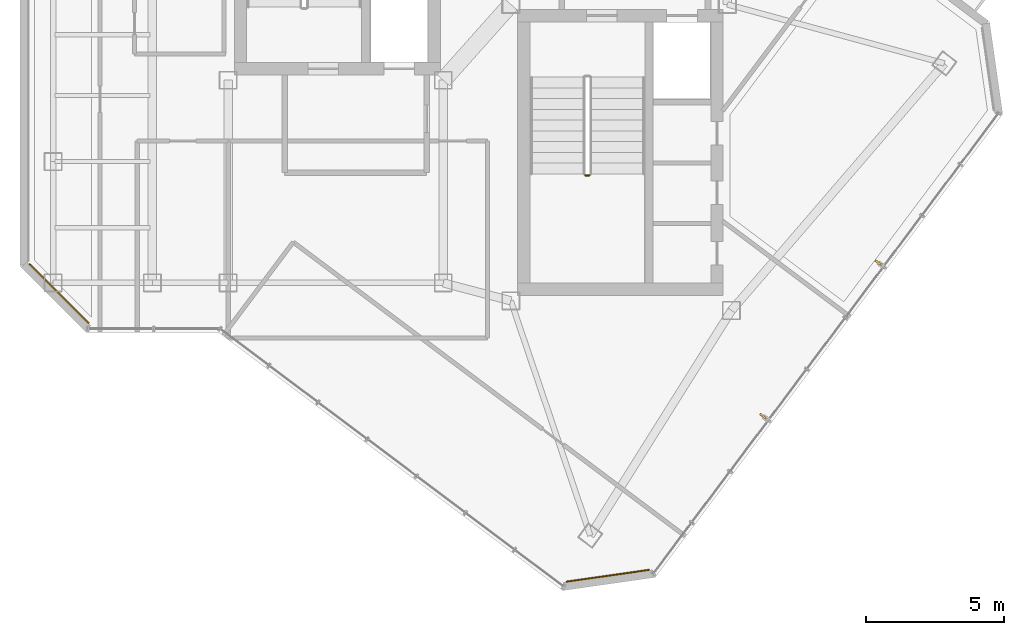
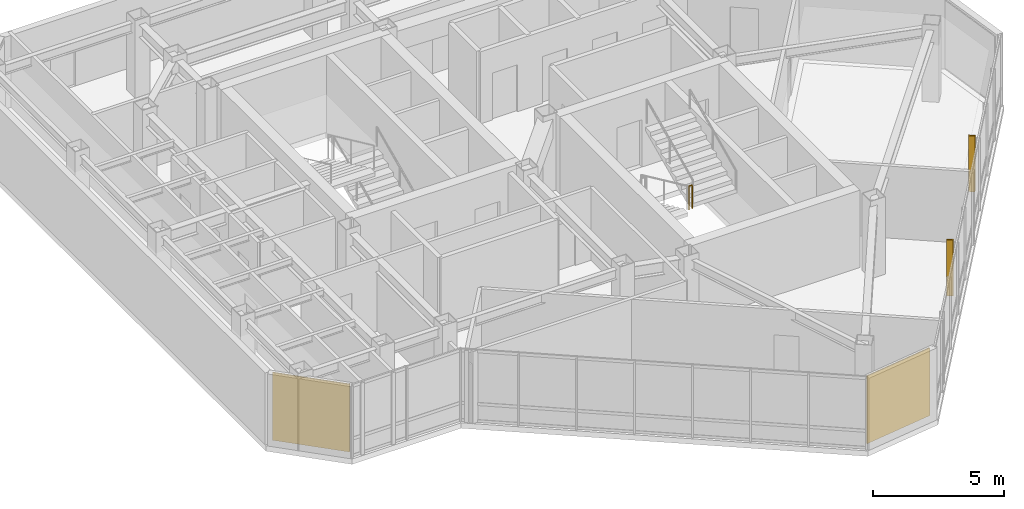
# One storey, part 16 of 18: 2 coverings, 2 shading devices, 1 railing.
"""IFC4 building model written with IfcOpenShell, lengths in metres."""

import ifcopenshell
import ifcopenshell.guid

model = None  # the IFC model being written
_history = None  # IfcOwnerHistory: only IFC2X3 demands one
_inside = {}  # id of a spatial element -> (the spatial element, [elements in it])
_under = {}  # id of a project, library or spatial element -> (it, [spatial elements below it])
_declared = {}  # id of a project -> (the project, [libraries it declares])
_typed = {}  # id of a type object -> (the type object, [elements of that type])
_made_of = {}  # id of a material, layer set ... -> (it, [elements and type objects made of it])


def new_model(schema):
    """Start an empty IFC model of exactly this schema.

    Asked for "IFC4X3", IfcOpenShell would pick the latest addendum, in which some entities
    have other attributes; the version numbers below select the first issue.
    IFC2X3 requires an IfcOwnerHistory on every rooted entity: one is made here for all.
    """
    global model, _history
    if schema == "IFC4X3":
        model = ifcopenshell.file(schema_version=(4, 3, 0, 0))
    else:
        model = ifcopenshell.file(schema=schema)
    _inside.clear()
    _under.clear()
    _declared.clear()
    _typed.clear()
    _made_of.clear()
    _history = None
    if model.schema == "IFC2X3":
        org = make("IfcOrganization", Name="unknown")
        user = make(
            "IfcPersonAndOrganization",
            ThePerson=make("IfcPerson", FamilyName="unknown"),
            TheOrganization=org,
        )
        app = make(
            "IfcApplication",
            ApplicationDeveloper=org,
            Version="unknown",
            ApplicationFullName="unknown",
            ApplicationIdentifier="unknown",
        )
        _history = make(
            "IfcOwnerHistory",
            OwningUser=user,
            OwningApplication=app,
            ChangeAction="ADDED",
            CreationDate=0,
        )
    return model


def make(cls, **values):
    """One entity of the class cls with the attributes given. An attribute that is None is left unset."""
    return model.create_entity(
        cls, **{name: value for name, value in values.items() if value is not None}
    )


def rooted(cls, **values):
    """An entity with a GlobalId (a new one), such as an element, a storey or a relation."""
    return make(cls, GlobalId=ifcopenshell.guid.new(), OwnerHistory=_history, **values)


def si_unit(unit_type, name, prefix=None):
    """IfcSIUnit, for example si_unit("LENGTHUNIT", "METRE", prefix="MILLI")."""
    return make("IfcSIUnit", UnitType=unit_type, Prefix=prefix, Name=name)


def assignment(units):
    """IfcUnitAssignment: the units of a project."""
    return None if units is None else make("IfcUnitAssignment", Units=units)


def point(xyz):
    """IfcCartesianPoint."""
    return None if xyz is None else make("IfcCartesianPoint", Coordinates=xyz)


def direction(xyz):
    """IfcDirection."""
    return None if xyz is None else make("IfcDirection", DirectionRatios=xyz)


def frame(location, z_axis=None, x_axis=None):
    """IfcAxis2Placement3D, a coordinate frame: its origin and axes. An axis left out is left unset."""
    return make(
        "IfcAxis2Placement3D",
        Location=point(location),
        Axis=direction(z_axis),
        RefDirection=direction(x_axis),
    )


def frame_2d(location, x_axis=None):
    """IfcAxis2Placement2D, a coordinate frame in the plane: its origin and x axis."""
    return make(
        "IfcAxis2Placement2D", Location=point(location), RefDirection=direction(x_axis)
    )


def origin():
    """The frame at (0, 0, 0) with its axes left unset."""
    return frame((0.0, 0.0, 0.0))


def origin_2d():
    """The frame at (0, 0) in the plane with its x axis left unset."""
    return frame_2d((0.0, 0.0))


def place(relative_to, where):
    """IfcLocalPlacement: puts the frame where relative to a parent placement (None: the world)."""
    return make(
        "IfcLocalPlacement", PlacementRelTo=relative_to, RelativePlacement=where
    )


def context(
    kind, dimensions, precision=None, world=None, true_north=None, identifier=None
):
    """IfcGeometricRepresentationContext, for example the 3D "Model" context."""
    return make(
        "IfcGeometricRepresentationContext",
        ContextIdentifier=identifier,
        ContextType=kind,
        CoordinateSpaceDimension=dimensions,
        Precision=precision,
        WorldCoordinateSystem=world,
        TrueNorth=true_north,
    )


def subcontext(parent, identifier, kind, view, scale=None):
    """IfcGeometricRepresentationSubContext, for example "Body" below "Model"."""
    return make(
        "IfcGeometricRepresentationSubContext",
        ContextIdentifier=identifier,
        ContextType=kind,
        ParentContext=parent,
        TargetScale=scale,
        TargetView=view,
    )


def project(units=None, contexts=None):
    """IfcProject with its units and contexts."""
    return rooted(
        "IfcProject",
        Name="project",
        RepresentationContexts=contexts,
        UnitsInContext=assignment(units),
    )


def spatial(cls, under=None, at=None, **own):
    """A site, building, storey or space (cls), placed at a placement, below another one or the project."""
    s = rooted(cls, ObjectPlacement=at, **own)
    if under is not None:
        _under.setdefault(under.id(), (under, []))[1].append(s)
    return s


def profile(cls, at=None, kind="AREA", **sizes):
    """A parametric profile (cls). Its sizes go by their IFC names, for example OverallWidth=200.0."""
    return make(cls, ProfileType=kind, Position=at, **sizes)


def rectangle(**sizes):
    """IfcRectangleProfileDef."""
    return profile("IfcRectangleProfileDef", **sizes)


def circle(**sizes):
    """IfcCircleProfileDef."""
    return profile("IfcCircleProfileDef", **sizes)


def extrude(swept, where, along, depth):
    """IfcExtrudedAreaSolid: the profile swept, set in the frame where, extruded along a direction by depth."""
    return make(
        "IfcExtrudedAreaSolid",
        SweptArea=swept,
        Position=where,
        ExtrudedDirection=direction(along),
        Depth=depth,
    )


def shape(context_of_items, identifier, shape_type, items):
    """IfcShapeRepresentation: the items that make up one representation, for example the "Body"."""
    return make(
        "IfcShapeRepresentation",
        ContextOfItems=context_of_items,
        RepresentationIdentifier=identifier,
        RepresentationType=shape_type,
        Items=items,
    )


def material(Name=None, Category=None):
    """IfcMaterial."""
    return make("IfcMaterial", Name=Name, Category=Category)


def layer(
    of_material, thickness, ventilated=None, Name=None, Category=None, Priority=None
):
    """IfcMaterialLayer: one layer of a wall or slab, of a material (None: an air gap)."""
    return make(
        "IfcMaterialLayer",
        Material=of_material,
        LayerThickness=thickness,
        IsVentilated=ventilated,
        Name=Name,
        Category=Category,
        Priority=Priority,
    )


def layer_set(layers, Name=None):
    """IfcMaterialLayerSet."""
    return make("IfcMaterialLayerSet", MaterialLayers=layers, LayerSetName=Name)


def made_of(thing, what):
    """Note that an element or type object is made of a material, layer set ...; save() writes the relation."""
    if what is not None:
        _made_of.setdefault(what.id(), (what, []))[1].append(thing)
    return thing


def type_object(cls, material=None, **own):
    """A type object (cls), such as IfcWallType, which elements share."""
    return made_of(rooted(cls, **own), material)


def element(
    cls,
    number,
    at=None,
    inside=None,
    cuts=None,
    type_object=None,
    material=None,
    context=None,
    identifier="Body",
    shape_type=None,
    held_by="IfcProductDefinitionShape",
    body=None,
    shapes=None,
    **own,
):
    """One element of the class cls, such as IfcWall. Its Tag is "e" and its number.

    at: its placement. inside: the storey or other place that contains it. cuts: it is an
    opening in that element (IfcRelVoidsElement). A single representation is given by context,
    identifier, shape_type and body (its items); several are given by shapes. held_by: the class
    of the entity that holds the representations. save() writes the other relations.
    """
    e = rooted(cls, Tag="e%d" % number, ObjectPlacement=at, **own)
    if body is not None:
        shapes = [shape(context, identifier, shape_type, body)]
    if shapes is not None:
        e.Representation = make(held_by, Representations=shapes)
    if inside is not None:
        _inside.setdefault(inside.id(), (inside, []))[1].append(e)
    if cuts is not None:
        rooted(
            "IfcRelVoidsElement", RelatingBuildingElement=cuts, RelatedOpeningElement=e
        )
    if type_object is not None:
        _typed.setdefault(type_object.id(), (type_object, []))[1].append(e)
    return made_of(e, material)


def aggregate(whole, parts):
    """IfcRelAggregates: a whole, such as a stair, and the parts it consists of."""
    return rooted("IfcRelAggregates", RelatingObject=whole, RelatedObjects=parts)


def save(model, path):
    """Write the relations noted so far, then the file.

    IfcRelAggregates (storeys below a building ...), IfcRelContainedInSpatialStructure (elements
    in a storey), IfcRelDefinesByType, IfcRelAssociatesMaterial and IfcRelDeclares: one each for
    every whole, place, type object, material and project.
    """
    for whole, parts in _under.values():
        aggregate(whole, parts)
    for where, things in _inside.values():
        rooted(
            "IfcRelContainedInSpatialStructure",
            RelatedElements=things,
            RelatingStructure=where,
        )
    for kind, things in _typed.values():
        rooted("IfcRelDefinesByType", RelatedObjects=things, RelatingType=kind)
    for what, things in _made_of.values():
        rooted("IfcRelAssociatesMaterial", RelatedObjects=things, RelatingMaterial=what)
    for by, libraries in _declared.values():
        rooted("IfcRelDeclares", RelatingContext=by, RelatedDefinitions=libraries)
    model.write(path)


model = new_model("IFC4")

# Units and contexts
model_context = context("Model", 3, precision=1e-05, world=origin(), true_north=direction((0.0, 1.0)))
body_context = subcontext(model_context, "Body", "Model", "MODEL_VIEW")
ifc_project = project(units=[si_unit("LENGTHUNIT", "METRE"), si_unit("AREAUNIT", "SQUARE_METRE"), si_unit("VOLUMEUNIT", "CUBIC_METRE"), si_unit("PLANEANGLEUNIT", "RADIAN"), si_unit("MASSUNIT", "GRAM", prefix="KILO")], contexts=[model_context])

# Site, building, storey
site_placement = place(None, origin())
site = spatial("IfcSite", under=ifc_project, at=site_placement, CompositionType="ELEMENT")
building_placement = place(site_placement, origin())
building = spatial("IfcBuilding", under=site, at=building_placement, Name="Hatsunagi Terrace Concourse", CompositionType="ELEMENT")
storey_placement = place(building_placement, frame((0.0, 0.0, 250.35009765625)))
storey = spatial("IfcBuildingStorey", under=building, at=storey_placement, Name="L66", CompositionType="ELEMENT", Elevation=250.35009765625)

# Railing
ifc_material_1 = material(Name="Stainless steel", Category="steel")
ifc_layer_1 = layer(ifc_material_1, 0.06005859375)
ifc_layer_set_1 = layer_set([ifc_layer_1], Name="StairWellGuard_Tower2000")
railing_type = type_object("IfcRailingType", Name="StairWellGuard_Tower2000", PredefinedType="BALUSTRADE", material=ifc_layer_set_1)
railing_placement = place(storey_placement, frame((38.5, 29.10009765625, 1.7998046875)))
element("IfcRailing", 1, at=railing_placement, inside=storey, type_object=railing_type, Name="L66 ST-B stair guard 2", PredefinedType="BALUSTRADE", context=body_context, shape_type="SweptSolid", body=[
    extrude(circle(Radius=0.02392578125, at=origin_2d()), frame((0.0, 0.0, 1.09619140625), z_axis=(1.0, 0.0, 0.0), x_axis=(0.0, 1.0, 0.0)), (0.0, 0.0, 1.0), 0.14990234375),
    extrude(circle(Radius=0.02099609375, at=origin_2d()), origin(), (0.0, 0.0, 1.0), 1.072021484375),
    extrude(circle(Radius=0.02099609375, at=origin_2d()), frame((0.14990234375, 0.0, 0.0)), (0.0, 0.0, 1.0), 1.072021484375),
])

# Shading devices
ifc_material_2 = material(Name="Extruded Unglazed Terracotta Baguette", Category="masonry")
shading_device_type = type_object("IfcShadingDeviceType", Name="TerracottaFinScreen_260x70", PredefinedType="USERDEFINED", material=ifc_material_2)
for number, where, z_axis, x_axis, name in (
    (2, (49.115966796875, 25.93896484375, 0.849853515625), (0.0, 0.0, 1.0), (-0.599969314634, -0.800023013105, 0.0), "Terracotta Baguette Fin Screen SCR-01"),
    (3, (44.93994140625, 20.368896484375, 0.849853515625), (0.0, 0.0, 1.0), (-0.599969314634, -0.800023013105, 0.0), "Terracotta Baguette Fin Screen SCR-01"),
):
    element("IfcShadingDevice", number, at=place(storey_placement, frame(where, z_axis=z_axis, x_axis=x_axis)), inside=storey, type_object=shading_device_type, Name=name, ObjectType="SUNSHADE", PredefinedType="USERDEFINED", context=body_context, shape_type="SweptSolid", body=[
        extrude(rectangle(XDim=0.070068359375, YDim=0.260009765625, at=origin_2d()), origin(), (0.0, 0.0, 1.0), 2.60009765625),
    ])

# Coverings
ifc_material_3 = material(Name="Unglazed Warm Terracotta Rainscreen Tile", Category="masonry")
ifc_layer_2 = layer(ifc_material_3, 0.044921875)
ifc_layer_set_2 = layer_set([ifc_layer_2], Name="TerracottaRainscreenCladding_45")
covering_type = type_object("IfcCoveringType", Name="TerracottaRainscreenCladding_45", PredefinedType="CLADDING", material=ifc_layer_set_2)
for number, where, z_axis, x_axis, name in (
    (4, (39.318115234375, 14.5791015625, 0.099853515625), (0.0, 0.0, 1.0), (-0.989973920543, -0.141250262458, 0.0), "Terracotta Rainscreen Cladding L66-04"),
    (5, (19.4140625, 24.81396484375, 0.099853515625), (0.0, 0.0, 1.0), (-0.707106781187, 0.707106781187, 0.0), "Terracotta Rainscreen Cladding L66-07"),
):
    element("IfcCovering", number, at=place(storey_placement, frame(where, z_axis=z_axis, x_axis=x_axis)), inside=storey, type_object=covering_type, Name=name, PredefinedType="CLADDING", context=body_context, shape_type="SweptSolid", body=[
        extrude(rectangle(XDim=3.0380859375, YDim=0.044921875, at=origin_2d()), origin(), (0.0, 0.0, 1.0), 3.14990234375),
    ])

save(model, "model.ifc")
